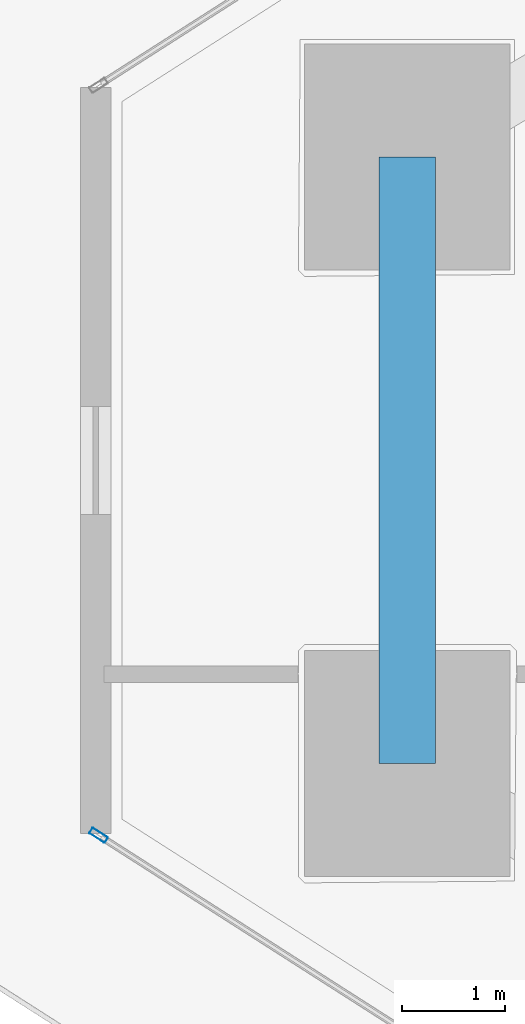
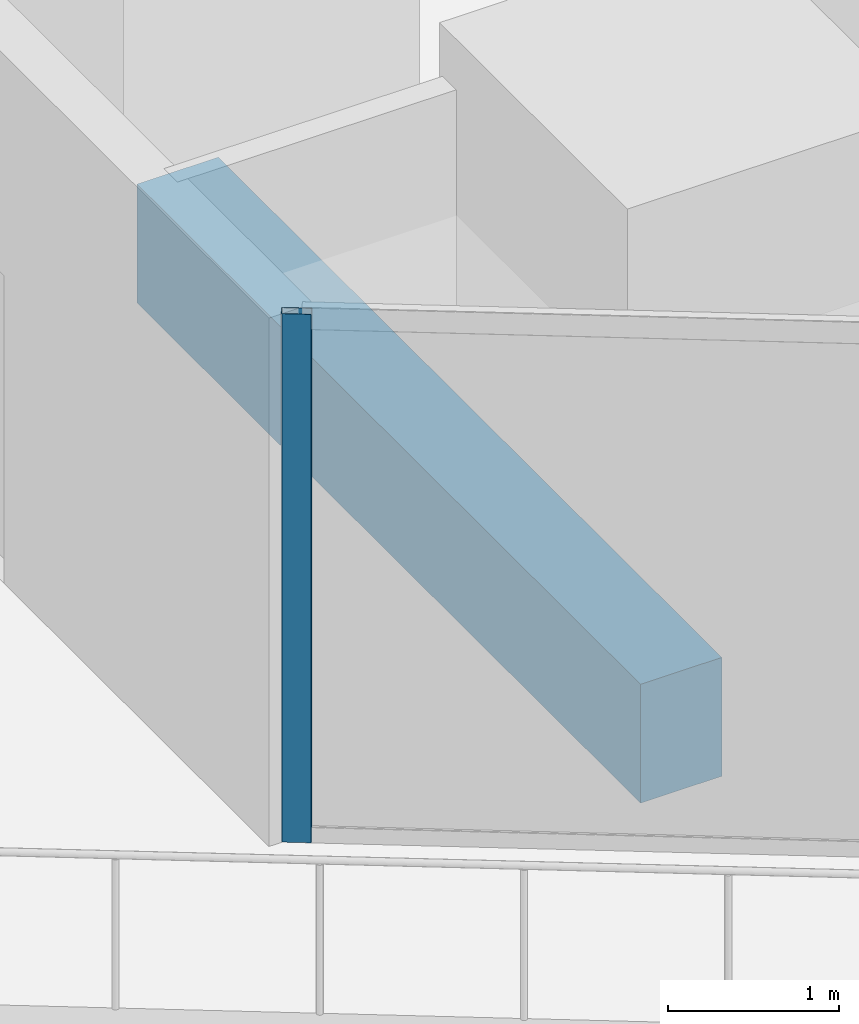
# One storey, part 5 of 35: 1 beam, 1 member, 1 element without a shape of its own.
"""IFC4 building model written with IfcOpenShell, lengths in metres."""

from ifc_helpers import new_model, si_unit, direction, frame, origin, origin_2d, place, context, subcontext, project, spatial, rectangle, hollow_rectangle, extrude, material, layer, layer_set, material_profile, profile_set, type_object, element, aggregate, save


model = new_model("IFC4")

# Units and contexts
model_context = context("Model", 3, precision=1e-05, world=origin(), true_north=direction((0.0, 1.0)))
body_context = subcontext(model_context, "Body", "Model", "MODEL_VIEW")
ifc_project = project(units=[si_unit("LENGTHUNIT", "METRE"), si_unit("AREAUNIT", "SQUARE_METRE"), si_unit("VOLUMEUNIT", "CUBIC_METRE"), si_unit("PLANEANGLEUNIT", "RADIAN"), si_unit("MASSUNIT", "GRAM", prefix="KILO")], contexts=[model_context])

# Site, building, storey
site_placement = place(None, origin())
site = spatial("IfcSite", under=ifc_project, at=site_placement, CompositionType="ELEMENT")
building_placement = place(site_placement, origin())
building = spatial("IfcBuilding", under=site, at=building_placement, Name="Qorvath Tower", CompositionType="ELEMENT")
storey_placement = place(building_placement, frame((0.0, 0.0, 166.5)))
storey = spatial("IfcBuildingStorey", under=building, at=storey_placement, Name="L38", CompositionType="ELEMENT", Elevation=166.5)

# Beam
ifc_material_1 = material(Name="Concrete C50/60", Category="concrete")
ifc_material_profile_1 = material_profile(ifc_material_1, rectangle(XDim=0.550048828125, YDim=0.85009765625, at=origin_2d()), Name="RCB 850x550")
ifc_profile_set_1 = profile_set([ifc_material_profile_1], Name="Concrete C50/60")
beam_type = type_object("IfcBeamType", Name="BM-RCB2", PredefinedType="SPANDREL", material=ifc_profile_set_1)
beam_placement = place(storey_placement, frame((-53.04931640625, 2.95068359375, -0.695068359375), z_axis=(0.0, -1.0, 0.0), x_axis=(1.0, 0.0, 0.0)))
element("IfcBeam", 1, at=beam_placement, inside=storey, type_object=beam_type, Name="Perimeter Loggia Frame Beam MC1-MC2 L38", PredefinedType="SPANDREL", context=body_context, shape_type="SweptSolid", body=[
    extrude(rectangle(XDim=0.550048828125, YDim=0.85009765625, at=origin_2d()), origin(), (0.0, 0.0, 1.0), 5.9013671875),
])

# Curtain wall, member
ifc_material_2 = material(Name="Anodised aluminium and triple low-E glass", Category="aluminium")
ifc_layer = layer(ifc_material_2, 0.179931640625)
ifc_layer_set = layer_set([ifc_layer], Name="CW-SYS-3")
curtain_wall_type = type_object("IfcCurtainWallType", Name="CW-SYS-3", PredefinedType="NOTDEFINED", material=ifc_layer_set)
curtain_wall_placement = place(storey_placement, origin())
curtain_wall = element("IfcCurtainWall", 2, at=curtain_wall_placement, inside=storey, type_object=curtain_wall_type, Name="Curtain Wall CW-3 CW-T-L38-2.1", PredefinedType="NOTDEFINED")
ifc_material_3 = material(Name="Anodised aluminium 6063-T6", Category="aluminium")
ifc_material_profile_2 = material_profile(ifc_material_3, hollow_rectangle(XDim=0.06494140625, YDim=0.179931640625, WallThickness=0.00341796875, InnerFilletRadius=0.00341796875, OuterFilletRadius=0.007080078125, at=origin_2d()), Name="CWM 180x65")
ifc_profile_set_2 = profile_set([ifc_material_profile_2], Name="Anodised aluminium 6063-T6")
member_type = type_object("IfcMemberType", Name="CWM-180", PredefinedType="MULLION", material=ifc_profile_set_2)
member_placement = place(storey_placement, frame((-56.0537109375, -3.648193359375, 0.0), z_axis=(0.0, 0.0, 1.0), x_axis=(0.538529198867, 0.842606848992, 0.0)))
member = element("IfcMember", 3, at=member_placement, type_object=member_type, Name="CW-3 mullion 1", PredefinedType="MULLION", context=body_context, shape_type="SweptSolid", body=[
    extrude(hollow_rectangle(XDim=0.06494140625, YDim=0.179931640625, WallThickness=0.00341796875, InnerFilletRadius=0.00341796875, OuterFilletRadius=0.007080078125, at=origin_2d()), origin(), (0.0, 0.0, 1.0), 3.780029296875),
])
aggregate(curtain_wall, [member])

save(model, "model.ifc")
